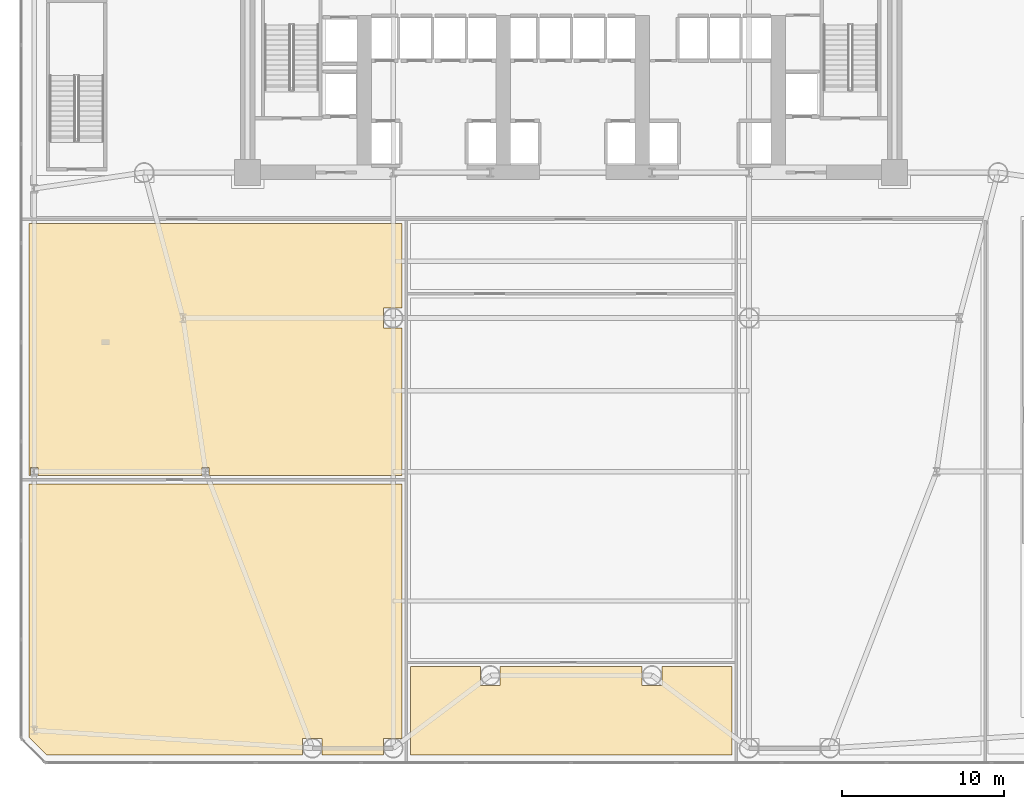
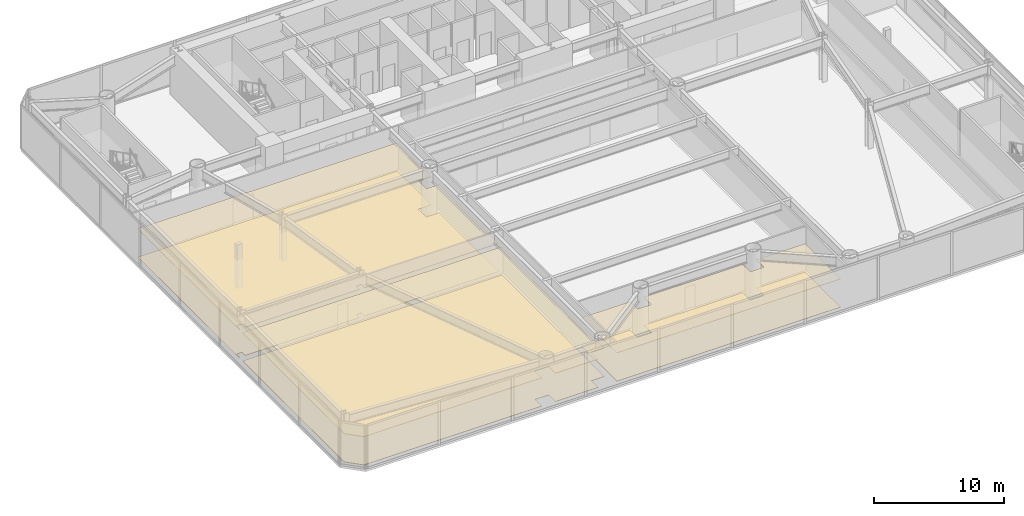
# One storey, part 18 of 24: 6 coverings.
"""IFC4 building model written with IfcOpenShell, lengths in metres."""

from ifc_helpers import new_model, si_unit, direction, frame, origin, place, context, subcontext, project, spatial, polyline, outline, extrude, material, layer, layer_set, type_object, element, save


model = new_model("IFC4")

# Units and contexts
model_context = context("Model", 3, precision=1e-05, world=origin(), true_north=direction((0.0, 1.0)))
body_context = subcontext(model_context, "Body", "Model", "MODEL_VIEW")
ifc_project = project(units=[si_unit("LENGTHUNIT", "METRE"), si_unit("AREAUNIT", "SQUARE_METRE"), si_unit("VOLUMEUNIT", "CUBIC_METRE"), si_unit("PLANEANGLEUNIT", "RADIAN"), si_unit("MASSUNIT", "GRAM", prefix="KILO")], contexts=[model_context])

# Site, building, storey
site_placement = place(None, origin())
site = spatial("IfcSite", under=ifc_project, at=site_placement, CompositionType="ELEMENT")
building_placement = place(site_placement, origin())
building = spatial("IfcBuilding", under=site, at=building_placement, Name="Vaeldorn Concourse Tower", CompositionType="ELEMENT")
storey_placement = place(building_placement, frame((0.0, 0.0, 10.0)))
storey = spatial("IfcBuildingStorey", under=building, at=storey_placement, Name="L02", CompositionType="ELEMENT", Elevation=10.0)

# Coverings
ifc_material_1 = material(Name="Acoustic Mineral Fibre Board", Category="gypsum")
ifc_layer_1 = layer(ifc_material_1, 0.0400390625)
ifc_layer_set_1 = layer_set([ifc_layer_1], Name="Acoustic Mineral Fibre Board")
covering_type_1 = type_object("IfcCoveringType", Name="COV-CEIL-ACOUSTIC", PredefinedType="CEILING", material=ifc_layer_set_1)
covering_1_placement = place(storey_placement, frame((0.0, 0.0, 2.64990234375)))
element("IfcCovering", 1, at=covering_1_placement, inside=storey, type_object=covering_type_1, Name="Suspended Acoustic Ceiling L02-6", PredefinedType="CEILING", context=body_context, shape_type="SweptSolid", body=[
    extrude(outline(polyline([(0.47998046875, 17.239990234375), (23.5400390625, 17.239990234375), (23.5400390625, 1.509521484375), (22.390380859375, 1.509521484375), (22.390380859375, 0.47998046875), (18.609619140625, 0.47998046875), (18.609619140625, 1.509521484375), (17.390380859375, 1.509521484375), (17.390380859375, 0.47998046875), (1.585693359375, 0.47998046875), (0.47998046875, 1.585693359375), (0.47998046875, 17.239990234375)])), origin(), (0.0, 0.0, 1.0), 0.0400390625),
])
covering_2_placement = place(storey_placement, frame((0.0, 0.0, 2.64990234375)))
element("IfcCovering", 2, at=covering_2_placement, inside=storey, type_object=covering_type_1, Name="Suspended Acoustic Ceiling L02-7", PredefinedType="CEILING", context=body_context, shape_type="SweptSolid", body=[
    extrude(outline(polyline([(0.47998046875, 33.340087890625), (23.5400390625, 33.340087890625), (23.5400390625, 28.109619140625), (22.390380859375, 28.109619140625), (22.390380859375, 26.890380859375), (23.5400390625, 26.890380859375), (23.5400390625, 17.760009765625), (11.62109375, 17.760009765625), (11.62109375, 18.265380859375), (11.178955078125, 18.265380859375), (11.178955078125, 17.760009765625), (1.02099609375, 17.760009765625), (1.02099609375, 18.265380859375), (0.5791015625, 18.265380859375), (0.5791015625, 17.760009765625), (0.47998046875, 17.760009765625), (0.47998046875, 33.340087890625)])), origin(), (0.0, 0.0, 1.0), 0.0400390625),
])
covering_3_placement = place(storey_placement, frame((0.0, 0.0, 2.64990234375)))
element("IfcCovering", 3, at=covering_3_placement, inside=storey, type_object=covering_type_1, Name="Suspended Acoustic Ceiling L02-9", PredefinedType="CEILING", context=body_context, shape_type="SweptSolid", body=[
    extrude(outline(polyline([(24.06005859375, 5.93994140625), (28.390380859375, 5.93994140625), (28.390380859375, 4.79052734375), (29.609619140625, 4.79052734375), (29.609619140625, 5.93994140625), (38.390380859375, 5.93994140625), (38.390380859375, 4.79052734375), (39.609619140625, 4.79052734375), (39.609619140625, 5.93994140625), (43.93994140625, 5.93994140625), (43.93994140625, 0.47998046875), (24.06005859375, 0.47998046875), (24.06005859375, 5.93994140625)])), origin(), (0.0, 0.0, 1.0), 0.0400390625),
])
ifc_material_2 = material(Name="Honed Limestone Terrazzo Flooring", Category="masonry")
ifc_layer_2 = layer(ifc_material_2, 0.0400390625)
ifc_layer_set_2 = layer_set([ifc_layer_2], Name="Honed Limestone Terrazzo Flooring")
covering_type_2 = type_object("IfcCoveringType", Name="COV-FLOOR-STONE", PredefinedType="FLOORING", material=ifc_layer_set_2)
covering_4_placement = place(storey_placement, origin())
element("IfcCovering", 4, at=covering_4_placement, inside=storey, type_object=covering_type_2, Name="Floor Finish Covering L02-6", PredefinedType="FLOORING", context=body_context, shape_type="SweptSolid", body=[
    extrude(outline(polyline([(0.47998046875, 17.239990234375), (23.5400390625, 17.239990234375), (23.5400390625, 1.509521484375), (22.390380859375, 1.509521484375), (22.390380859375, 0.47998046875), (18.609619140625, 0.47998046875), (18.609619140625, 1.509521484375), (17.390380859375, 1.509521484375), (17.390380859375, 0.47998046875), (1.585693359375, 0.47998046875), (0.47998046875, 1.585693359375), (0.47998046875, 17.239990234375)])), origin(), (0.0, 0.0, 1.0), 0.030029296875),
])
covering_5_placement = place(storey_placement, origin())
element("IfcCovering", 5, at=covering_5_placement, inside=storey, type_object=covering_type_2, Name="Floor Finish Covering L02-7", PredefinedType="FLOORING", context=body_context, shape_type="SweptSolid", body=[
    extrude(outline(polyline([(0.47998046875, 33.340087890625), (23.5400390625, 33.340087890625), (23.5400390625, 28.109619140625), (22.390380859375, 28.109619140625), (22.390380859375, 26.890380859375), (23.5400390625, 26.890380859375), (23.5400390625, 17.760009765625), (11.62109375, 17.760009765625), (11.62109375, 18.265380859375), (11.178955078125, 18.265380859375), (11.178955078125, 17.760009765625), (1.02099609375, 17.760009765625), (1.02099609375, 18.265380859375), (0.5791015625, 18.265380859375), (0.5791015625, 17.760009765625), (0.47998046875, 17.760009765625), (0.47998046875, 33.340087890625)])), origin(), (0.0, 0.0, 1.0), 0.030029296875),
])
covering_6_placement = place(storey_placement, origin())
element("IfcCovering", 6, at=covering_6_placement, inside=storey, type_object=covering_type_2, Name="Floor Finish Covering L02-9", PredefinedType="FLOORING", context=body_context, shape_type="SweptSolid", body=[
    extrude(outline(polyline([(24.06005859375, 5.93994140625), (28.390380859375, 5.93994140625), (28.390380859375, 4.79052734375), (29.609619140625, 4.79052734375), (29.609619140625, 5.93994140625), (38.390380859375, 5.93994140625), (38.390380859375, 4.79052734375), (39.609619140625, 4.79052734375), (39.609619140625, 5.93994140625), (43.93994140625, 5.93994140625), (43.93994140625, 0.47998046875), (24.06005859375, 0.47998046875), (24.06005859375, 5.93994140625)])), origin(), (0.0, 0.0, 1.0), 0.030029296875),
])

save(model, "model.ifc")
